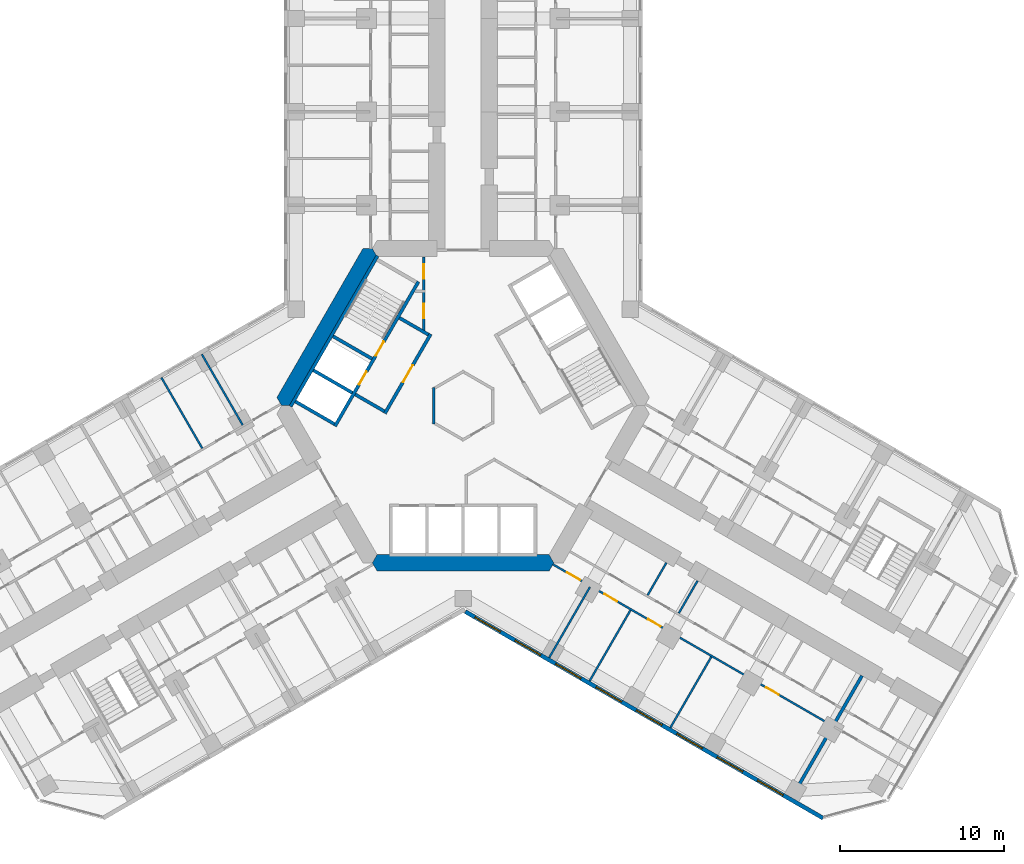
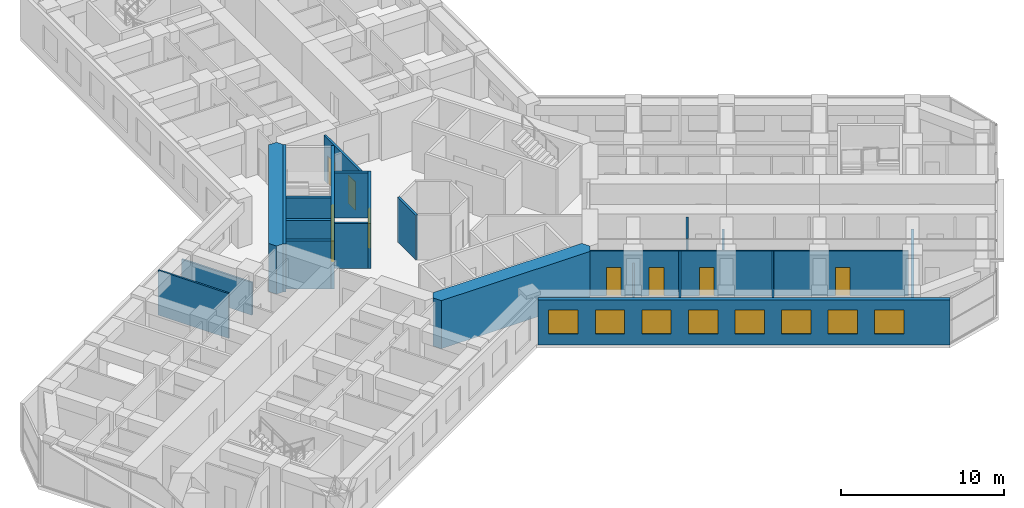
# One storey, part 13 of 21: 22 walls, 9 doors, 8 windows, 17 openings.
"""IFC4 building model written with IfcOpenShell, lengths in metres."""

from ifc_helpers import new_model, si_unit, direction, frame, frame_2d, origin, place, context, subcontext, project, spatial, polyline, rectangle, outline, extrude, material, layer, layer_set, type_object, element, fill, save


model = new_model("IFC4")

# Units and contexts
model_context = context("Model", 3, precision=1e-05, world=origin(), true_north=direction((0.0, 1.0)))
body_context = subcontext(model_context, "Body", "Model", "MODEL_VIEW")
ifc_project = project(units=[si_unit("LENGTHUNIT", "METRE"), si_unit("AREAUNIT", "SQUARE_METRE"), si_unit("VOLUMEUNIT", "CUBIC_METRE"), si_unit("PLANEANGLEUNIT", "RADIAN"), si_unit("MASSUNIT", "GRAM", prefix="KILO")], contexts=[model_context])

# Site, building, storey
site_placement = place(None, origin())
site = spatial("IfcSite", under=ifc_project, at=site_placement, CompositionType="ELEMENT")
building_placement = place(site_placement, origin())
building = spatial("IfcBuilding", under=site, at=building_placement, Name="Kosmar Iwan School Tower", CompositionType="ELEMENT")
storey_placement = place(building_placement, frame((0.0, 0.0, 71.800048828125)))
storey = spatial("IfcBuildingStorey", under=building, at=storey_placement, Name="L17", CompositionType="ELEMENT", Elevation=71.800048828125)

# Wall, openings, doors
ifc_material_1 = material(Name="Gypsum board on steel studs, fire-rated", Category="steel")
ifc_layer_1 = layer(ifc_material_1, 0.14990234375)
ifc_layer_set_1 = layer_set([ifc_layer_1], Name="Core room partition 150")
wall_type_1 = type_object("IfcWallType", Name="Core room partition 150", PredefinedType="PARTITIONING", material=ifc_layer_set_1)
wall_1_placement = place(storey_placement, frame((-2.39990234375, 9.094970703125, 0.0), z_axis=(0.0, 0.0, 1.0), x_axis=(0.0, -1.0, 0.0)))
wall_1 = element("IfcWall", 1, at=wall_1_placement, inside=storey, type_object=wall_type_1, Name="Core room partition L17-CW1", PredefinedType="PARTITIONING", context=body_context, shape_type="SweptSolid", body=[
    extrude(rectangle(XDim=4.564208984375, YDim=0.14990234375, at=frame_2d((2.2822265625, 0.0))), origin(), (0.0, 0.0, 1.0), 3.349853515625),
])
opening_1_placement = place(wall_1_placement, frame((0.455078125, 0.0, 0.0)))
opening_1 = element("IfcOpeningElement", 2, at=opening_1_placement, cuts=wall_1, Name="Opening D14", PredefinedType="OPENING", context=body_context, shape_type="SweptSolid", body=[
    extrude(rectangle(XDim=0.89990234375, YDim=2.10009765625, at=frame_2d((0.449951171875, 1.050048828125))), frame((0.0, 0.0869140625, 0.0), z_axis=(0.0, -1.0, 0.0), x_axis=(1.0, 0.0, 0.0)), (0.0, 0.0, 1.0), 0.173828125),
])
opening_2_placement = place(wall_1_placement, frame((2.85498046875, 0.0, 0.0)))
opening_2 = element("IfcOpeningElement", 3, at=opening_2_placement, cuts=wall_1, Name="Opening D14", PredefinedType="OPENING", context=body_context, shape_type="SweptSolid", body=[
    extrude(rectangle(XDim=0.89990234375, YDim=2.10009765625, at=frame_2d((0.449951171875, 1.050048828125))), frame((0.0, 0.0869140625, 0.0), z_axis=(0.0, -1.0, 0.0), x_axis=(1.0, 0.0, 0.0)), (0.0, 0.0, 1.0), 0.173828125),
])
ifc_material_2 = material(Name="Timber fire door in steel frame", Category="steel")
door_type_1 = type_object("IfcDoorType", Name="Core room door 900x2100", OperationType="SINGLE_SWING_LEFT", PredefinedType="DOOR", material=ifc_material_2)
door_1_placement = place(opening_1_placement, origin())
door_1 = element("IfcDoor", 4, at=door_1_placement, inside=storey, type_object=door_type_1, Name="Electrical riser and switch room door L17 1", OperationType="SINGLE_SWING_LEFT", OverallHeight=2.10009765625, OverallWidth=0.89990234375, PredefinedType="DOOR", context=body_context, shape_type="SweptSolid", body=[
    extrude(rectangle(XDim=0.89990234375, YDim=2.10009765625, at=frame_2d((0.449951171875, 1.050048828125))), frame((0.0, 0.02490234375, 0.0), z_axis=(0.0, -1.0, 0.0), x_axis=(1.0, 0.0, 0.0)), (0.0, 0.0, 1.0), 0.050048828125),
])
fill(opening_1, door_1)
door_2_placement = place(opening_2_placement, origin())
door_2 = element("IfcDoor", 5, at=door_2_placement, inside=storey, type_object=door_type_1, Name="Plumbing and wet riser door L17 2", OperationType="SINGLE_SWING_RIGHT", OverallHeight=2.10009765625, OverallWidth=0.89990234375, PredefinedType="DOOR", context=body_context, shape_type="SweptSolid", body=[
    extrude(rectangle(XDim=0.89990234375, YDim=2.10009765625, at=frame_2d((0.449951171875, 1.050048828125))), frame((0.0, 0.02490234375, 0.0), z_axis=(0.0, -1.0, 0.0), x_axis=(1.0, 0.0, 0.0)), (0.0, 0.0, 1.0), 0.050048828125),
])
fill(opening_2, door_2)

# Walls
wall_2_placement = place(storey_placement, frame((-1.800048828125, -1.1142578125, 0.0), z_axis=(0.0, 0.0, 1.0), x_axis=(0.0, 1.0, 0.0)))
element("IfcWall", 6, at=wall_2_placement, inside=storey, type_object=wall_type_1, Name="Core room partition L17-CW6", PredefinedType="PARTITIONING", context=body_context, shape_type="SweptSolid", body=[
    extrude(rectangle(XDim=2.228515625, YDim=0.14990234375, at=frame_2d((1.1142578125, 0.0))), origin(), (0.0, 0.0, 1.0), 3.349853515625),
])
ifc_material_3 = material(Name="Concrete C50/60", Category="concrete")
ifc_layer_2 = layer(ifc_material_3, 1.0)
ifc_layer_set_2 = layer_set([ifc_layer_2], Name="Core wall 1000")
wall_type_2 = type_object("IfcWallType", Name="Core wall 1000", PredefinedType="SHEAR", material=ifc_layer_set_2)
wall_3_placement = place(storey_placement, origin())
element("IfcWall", 7, at=wall_3_placement, inside=storey, type_object=wall_type_2, Name="Core wall F150", PredefinedType="SHEAR", context=body_context, shape_type="SweptSolid", body=[
    extrude(outline(polyline([(-11.085205078125, 0.0), (-10.5078125, 0.0), (-5.25390625, 9.10009765625), (-5.54248046875, 9.60009765625), (-6.119873046875, 9.60009765625), (-11.373779296875, 0.5), (-11.085205078125, 0.0)])), origin(), (0.0, 0.0, 1.0), 3.599853515625),
])
wall_4_placement = place(storey_placement, origin())
element("IfcWall", 8, at=wall_4_placement, inside=storey, type_object=wall_type_2, Name="Core wall F270", PredefinedType="SHEAR", context=body_context, shape_type="SweptSolid", body=[
    extrude(outline(polyline([(-5.25390625, -10.10009765625), (5.25390625, -10.10009765625), (5.54248046875, -9.60009765625), (5.25390625, -9.10009765625), (-5.25390625, -9.10009765625), (-5.54248046875, -9.60009765625), (-5.25390625, -10.10009765625)])), origin(), (0.0, 0.0, 1.0), 3.599853515625),
])
ifc_material_4 = material(Name="Gypsum board on steel studs", Category="steel")
ifc_layer_3 = layer(ifc_material_4, 0.1201171875)
ifc_layer_set_3 = layer_set([ifc_layer_3], Name="Dwelling partition 120")
wall_type_3 = type_object("IfcWallType", Name="Dwelling partition 120", PredefinedType="PARTITIONING", material=ifc_layer_set_3)
wall_5_placement = place(storey_placement, frame((-13.4638671875, -1.179931640625, 0.0), z_axis=(0.0, 0.0, 1.0), x_axis=(-0.499996339024, 0.86602751744, 0.0)))
element("IfcWall", 9, at=wall_5_placement, inside=storey, type_object=wall_type_3, Name="Partition L17-BR1-X1", PredefinedType="PARTITIONING", context=body_context, shape_type="SweptSolid", body=[
    extrude(rectangle(XDim=4.98974609375, YDim=0.1201171875, at=frame_2d((2.494873046875, 0.0))), origin(), (0.0, 0.0, 1.0), 2.449951171875),
])
wall_6_placement = place(storey_placement, frame((-15.931884765625, -2.60498046875, 0.0), z_axis=(0.0, 0.0, 1.0), x_axis=(-0.500011847778, 0.866018563358, 0.0)))
element("IfcWall", 10, at=wall_6_placement, inside=storey, type_object=wall_type_3, Name="Partition L17-BR1-X2", PredefinedType="PARTITIONING", context=body_context, shape_type="SweptSolid", body=[
    extrude(rectangle(XDim=4.990234375, YDim=0.1201171875, at=frame_2d((2.4951171875, 0.0))), origin(), (0.0, 0.0, 1.0), 3.349853515625),
])

# Wall, openings, doors
wall_7_placement = place(storey_placement, frame((5.48876953125, -9.693115234375, 0.0), z_axis=(0.0, 0.0, 1.0), x_axis=(0.866024837091, -0.50000098154, 0.0)))
wall_7 = element("IfcWall", 11, at=wall_7_placement, inside=storey, type_object=wall_type_3, Name="Partition L17-CR1-W2", PredefinedType="PARTITIONING", context=body_context, shape_type="SweptSolid", body=[
    extrude(rectangle(XDim=19.5, YDim=0.1201171875, at=frame_2d((9.75, 0.0))), origin(), (0.0, 0.0, 1.0), 3.349853515625),
])
opening_3_placement = place(wall_7_placement, frame((1.0, 0.0, 0.0)))
opening_3 = element("IfcOpeningElement", 12, at=opening_3_placement, cuts=wall_7, Name="Opening D2", PredefinedType="OPENING", context=body_context, shape_type="SweptSolid", body=[
    extrude(rectangle(XDim=0.89990234375, YDim=2.10009765625, at=frame_2d((0.449951171875, 1.050048828125))), frame((0.0, 0.072021484375, 0.0), z_axis=(0.0, -1.0, 0.0), x_axis=(1.0, 0.0, 0.0)), (0.0, 0.0, 1.0), 0.14404296875),
])
opening_4_placement = place(wall_7_placement, frame((3.625, 0.0, 0.0)))
opening_4 = element("IfcOpeningElement", 13, at=opening_4_placement, cuts=wall_7, Name="Opening D2", PredefinedType="OPENING", context=body_context, shape_type="SweptSolid", body=[
    extrude(rectangle(XDim=0.89990234375, YDim=2.10009765625, at=frame_2d((0.449951171875, 1.050048828125))), frame((0.0, 0.072021484375, 0.0), z_axis=(0.0, -1.0, 0.0), x_axis=(1.0, 0.0, 0.0)), (0.0, 0.0, 1.0), 0.14404296875),
])
opening_5_placement = place(wall_7_placement, frame((6.699951171875, 0.0, 0.0)))
opening_5 = element("IfcOpeningElement", 14, at=opening_5_placement, cuts=wall_7, Name="Opening D2", PredefinedType="OPENING", context=body_context, shape_type="SweptSolid", body=[
    extrude(rectangle(XDim=0.89990234375, YDim=2.10009765625, at=frame_2d((0.449951171875, 1.050048828125))), frame((0.0, 0.072021484375, 0.0), z_axis=(0.0, -1.0, 0.0), x_axis=(1.0, 0.0, 0.0)), (0.0, 0.0, 1.0), 0.14404296875),
])
opening_6_placement = place(wall_7_placement, frame((15.02490234375, 0.0, 0.0)))
opening_6 = element("IfcOpeningElement", 15, at=opening_6_placement, cuts=wall_7, Name="Opening D2", PredefinedType="OPENING", context=body_context, shape_type="SweptSolid", body=[
    extrude(rectangle(XDim=0.89990234375, YDim=2.10009765625, at=frame_2d((0.449951171875, 1.050048828125))), frame((0.0, 0.072021484375, 0.0), z_axis=(0.0, -1.0, 0.0), x_axis=(1.0, 0.0, 0.0)), (0.0, 0.0, 1.0), 0.14404296875),
])
ifc_material_5 = material(Name="Timber door in timber frame", Category="wood")
door_type_2 = type_object("IfcDoorType", Name="Internal door 900x2100", OperationType="SINGLE_SWING_LEFT", PredefinedType="DOOR", material=ifc_material_5)
door_3_placement = place(opening_3_placement, origin())
door_3 = element("IfcDoor", 16, at=door_3_placement, inside=storey, type_object=door_type_2, Name="Family room door L17-CR1-F1", OperationType="SINGLE_SWING_LEFT", OverallHeight=2.10009765625, OverallWidth=0.89990234375, PredefinedType="DOOR", context=body_context, shape_type="SweptSolid", body=[
    extrude(rectangle(XDim=0.89990234375, YDim=2.10009765625, at=frame_2d((0.449951171875, 1.050048828125))), frame((0.0, 0.02490234375, 0.0), z_axis=(0.0, -1.0, 0.0), x_axis=(1.0, 0.0, 0.0)), (0.0, 0.0, 1.0), 0.050048828125),
])
fill(opening_3, door_3)
door_4_placement = place(opening_4_placement, origin())
door_4 = element("IfcDoor", 17, at=door_4_placement, inside=storey, type_object=door_type_2, Name="Study door L17-CR1-F2", OperationType="SINGLE_SWING_LEFT", OverallHeight=2.10009765625, OverallWidth=0.89990234375, PredefinedType="DOOR", context=body_context, shape_type="SweptSolid", body=[
    extrude(rectangle(XDim=0.89990234375, YDim=2.10009765625, at=frame_2d((0.449951171875, 1.050048828125))), frame((0.0, 0.02490234375, 0.0), z_axis=(0.0, -1.0, 0.0), x_axis=(1.0, 0.0, 0.0)), (0.0, 0.0, 1.0), 0.050048828125),
])
fill(opening_4, door_4)
door_5_placement = place(opening_5_placement, origin())
door_5 = element("IfcDoor", 18, at=door_5_placement, inside=storey, type_object=door_type_2, Name="Bedroom 1 door L17-CR1-F3", OperationType="SINGLE_SWING_LEFT", OverallHeight=2.10009765625, OverallWidth=0.89990234375, PredefinedType="DOOR", context=body_context, shape_type="SweptSolid", body=[
    extrude(rectangle(XDim=0.89990234375, YDim=2.10009765625, at=frame_2d((0.449951171875, 1.050048828125))), frame((0.0, 0.02490234375, 0.0), z_axis=(0.0, -1.0, 0.0), x_axis=(1.0, 0.0, 0.0)), (0.0, 0.0, 1.0), 0.050048828125),
])
fill(opening_5, door_5)
door_6_placement = place(opening_6_placement, origin())
door_6 = element("IfcDoor", 19, at=door_6_placement, inside=storey, type_object=door_type_2, Name="Living room and kitchen door L17-CR1-F4", OperationType="SINGLE_SWING_RIGHT", OverallHeight=2.10009765625, OverallWidth=0.89990234375, PredefinedType="DOOR", context=body_context, shape_type="SweptSolid", body=[
    extrude(rectangle(XDim=0.89990234375, YDim=2.10009765625, at=frame_2d((0.449951171875, 1.050048828125))), frame((0.0, 0.02490234375, 0.0), z_axis=(0.0, -1.0, 0.0), x_axis=(1.0, 0.0, 0.0)), (0.0, 0.0, 1.0), 0.050048828125),
])
fill(opening_6, door_6)

# Walls
wall_8_placement = place(storey_placement, frame((7.75390625, -11.070068359375, 0.0), z_axis=(0.0, 0.0, 1.0), x_axis=(-0.500033033937, -0.866006330792, 0.0)))
element("IfcWall", 20, at=wall_8_placement, inside=storey, type_object=wall_type_3, Name="Partition L17-CR1-X1", PredefinedType="PARTITIONING", context=body_context, shape_type="SweptSolid", body=[
    extrude(rectangle(XDim=4.989990234375, YDim=0.1201171875, at=frame_2d((2.4951171875, 0.0))), origin(), (0.0, 0.0, 1.0), 2.449951171875),
])
wall_9_placement = place(storey_placement, frame((10.221923828125, -12.4951171875, 0.0), z_axis=(0.0, 0.0, 1.0), x_axis=(-0.499996339024, -0.86602751744, 0.0)))
element("IfcWall", 21, at=wall_9_placement, inside=storey, type_object=wall_type_3, Name="Partition L17-CR1-X2", PredefinedType="PARTITIONING", context=body_context, shape_type="SweptSolid", body=[
    extrude(rectangle(XDim=4.98974609375, YDim=0.1201171875, at=frame_2d((2.494873046875, 0.0))), origin(), (0.0, 0.0, 1.0), 3.349853515625),
])
wall_10_placement = place(storey_placement, frame((15.158447265625, -15.344970703125, 0.0), z_axis=(0.0, 0.0, 1.0), x_axis=(-0.500011847778, -0.866018563358, 0.0)))
element("IfcWall", 22, at=wall_10_placement, inside=storey, type_object=wall_type_3, Name="Partition L17-CR1-X3", PredefinedType="PARTITIONING", context=body_context, shape_type="SweptSolid", body=[
    extrude(rectangle(XDim=4.990234375, YDim=0.1201171875, at=frame_2d((2.4951171875, 0.0))), origin(), (0.0, 0.0, 1.0), 3.349853515625),
])
wall_11_placement = place(storey_placement, frame((12.416748046875, -9.59375, 0.0), z_axis=(0.0, 0.0, 1.0), x_axis=(-0.500014693593, -0.866016920268, 0.0)))
element("IfcWall", 23, at=wall_11_placement, inside=storey, type_object=wall_type_3, Name="Partition L17-CR1-Y1", PredefinedType="PARTITIONING", context=body_context, shape_type="SweptSolid", body=[
    extrude(rectangle(XDim=2.2900390625, YDim=0.1201171875, at=frame_2d((1.14501953125, 0.0))), origin(), (0.0, 0.0, 1.0), 3.349853515625),
])
wall_12_placement = place(storey_placement, frame((14.322021484375, -10.693603515625, 0.0), z_axis=(0.0, 0.0, 1.0), x_axis=(-0.500014693593, -0.866016920268, 0.0)))
element("IfcWall", 24, at=wall_12_placement, inside=storey, type_object=wall_type_3, Name="Partition L17-CR1-Y2", PredefinedType="PARTITIONING", context=body_context, shape_type="SweptSolid", body=[
    extrude(rectangle(XDim=2.2900390625, YDim=0.1201171875, at=frame_2d((1.14501953125, 0.0))), origin(), (0.0, 0.0, 1.0), 2.449951171875),
])

# Wall, openings, windows
ifc_material_6 = material(Name="Black aluminium rainscreen on insulated framing", Category="aluminium")
ifc_layer_4 = layer(ifc_material_6, 0.25)
ifc_layer_set_4 = layer_set([ifc_layer_4], Name="External wall rainscreen 250")
wall_type_4 = type_object("IfcWallType", Name="External wall rainscreen 250", PredefinedType="SOLIDWALL", material=ifc_layer_set_4)
wall_13_placement = place(storey_placement, frame((0.137939453125, -12.5791015625, 0.0), z_axis=(0.0, 0.0, 1.0), x_axis=(0.866023775649, -0.500002820003, 0.0)))
wall_13 = element("IfcWall", 25, at=wall_13_placement, inside=storey, type_object=wall_type_4, Name="External wall CR L17", PredefinedType="SOLIDWALL", context=body_context, shape_type="SweptSolid", body=[
    extrude(rectangle(XDim=25.226318359375, YDim=0.25, at=frame_2d((12.61328125, 0.0))), origin(), (0.0, 0.0, 1.0), 3.349853515625),
])
opening_7_placement = place(wall_13_placement, frame((0.666015625, 0.0, 0.800048828125)))
opening_7 = element("IfcOpeningElement", 26, at=opening_7_placement, cuts=wall_13, Name="Opening W1", PredefinedType="OPENING", context=body_context, shape_type="SweptSolid", body=[
    extrude(rectangle(XDim=1.800048828125, YDim=1.800048828125, at=frame_2d((0.89990234375, 0.89990234375))), frame((0.0, 0.136962890625, 0.0), z_axis=(0.0, -1.0, 0.0), x_axis=(1.0, 0.0, 0.0)), (0.0, 0.0, 1.0), 0.27392578125),
])
opening_8_placement = place(wall_13_placement, frame((3.51611328125, 0.0, 0.800048828125)))
opening_8 = element("IfcOpeningElement", 27, at=opening_8_placement, cuts=wall_13, Name="Opening W1", PredefinedType="OPENING", context=body_context, shape_type="SweptSolid", body=[
    extrude(rectangle(XDim=1.800048828125, YDim=1.800048828125, at=frame_2d((0.89990234375, 0.89990234375))), frame((0.0, 0.136962890625, 0.0), z_axis=(0.0, -1.0, 0.0), x_axis=(1.0, 0.0, 0.0)), (0.0, 0.0, 1.0), 0.27392578125),
])
opening_9_placement = place(wall_13_placement, frame((6.365966796875, 0.0, 0.800048828125)))
opening_9 = element("IfcOpeningElement", 28, at=opening_9_placement, cuts=wall_13, Name="Opening W1", PredefinedType="OPENING", context=body_context, shape_type="SweptSolid", body=[
    extrude(rectangle(XDim=1.800048828125, YDim=1.800048828125, at=frame_2d((0.89990234375, 0.89990234375))), frame((0.0, 0.136962890625, 0.0), z_axis=(0.0, -1.0, 0.0), x_axis=(1.0, 0.0, 0.0)), (0.0, 0.0, 1.0), 0.27392578125),
])
opening_10_placement = place(wall_13_placement, frame((9.216064453125, 0.0, 0.800048828125)))
opening_10 = element("IfcOpeningElement", 29, at=opening_10_placement, cuts=wall_13, Name="Opening W1", PredefinedType="OPENING", context=body_context, shape_type="SweptSolid", body=[
    extrude(rectangle(XDim=1.800048828125, YDim=1.800048828125, at=frame_2d((0.89990234375, 0.89990234375))), frame((0.0, 0.136962890625, 0.0), z_axis=(0.0, -1.0, 0.0), x_axis=(1.0, 0.0, 0.0)), (0.0, 0.0, 1.0), 0.27392578125),
])
opening_11_placement = place(wall_13_placement, frame((12.06591796875, 0.0, 0.800048828125)))
opening_11 = element("IfcOpeningElement", 30, at=opening_11_placement, cuts=wall_13, Name="Opening W1", PredefinedType="OPENING", context=body_context, shape_type="SweptSolid", body=[
    extrude(rectangle(XDim=1.800048828125, YDim=1.800048828125, at=frame_2d((0.89990234375, 0.89990234375))), frame((0.0, 0.136962890625, 0.0), z_axis=(0.0, -1.0, 0.0), x_axis=(1.0, 0.0, 0.0)), (0.0, 0.0, 1.0), 0.27392578125),
])
opening_12_placement = place(wall_13_placement, frame((14.916015625, 0.0, 0.800048828125)))
opening_12 = element("IfcOpeningElement", 31, at=opening_12_placement, cuts=wall_13, Name="Opening W1", PredefinedType="OPENING", context=body_context, shape_type="SweptSolid", body=[
    extrude(rectangle(XDim=1.800048828125, YDim=1.800048828125, at=frame_2d((0.89990234375, 0.89990234375))), frame((0.0, 0.136962890625, 0.0), z_axis=(0.0, -1.0, 0.0), x_axis=(1.0, 0.0, 0.0)), (0.0, 0.0, 1.0), 0.27392578125),
])
opening_13_placement = place(wall_13_placement, frame((17.76611328125, 0.0, 0.800048828125)))
opening_13 = element("IfcOpeningElement", 32, at=opening_13_placement, cuts=wall_13, Name="Opening W1", PredefinedType="OPENING", context=body_context, shape_type="SweptSolid", body=[
    extrude(rectangle(XDim=1.800048828125, YDim=1.800048828125, at=frame_2d((0.89990234375, 0.89990234375))), frame((0.0, 0.136962890625, 0.0), z_axis=(0.0, -1.0, 0.0), x_axis=(1.0, 0.0, 0.0)), (0.0, 0.0, 1.0), 0.27392578125),
])
opening_14_placement = place(wall_13_placement, frame((20.615966796875, 0.0, 0.800048828125)))
opening_14 = element("IfcOpeningElement", 33, at=opening_14_placement, cuts=wall_13, Name="Opening W1", PredefinedType="OPENING", context=body_context, shape_type="SweptSolid", body=[
    extrude(rectangle(XDim=1.800048828125, YDim=1.800048828125, at=frame_2d((0.89990234375, 0.89990234375))), frame((0.0, 0.136962890625, 0.0), z_axis=(0.0, -1.0, 0.0), x_axis=(1.0, 0.0, 0.0)), (0.0, 0.0, 1.0), 0.27392578125),
])
ifc_material_7 = material(Name="Black aluminium frame with dark triple glazing", Category="aluminium")
window_type = type_object("IfcWindowType", Name="Window 1800x1800", PartitioningType="SINGLE_PANEL", PredefinedType="WINDOW", material=ifc_material_7)
window_1_placement = place(opening_7_placement, origin())
window_1 = element("IfcWindow", 34, at=window_1_placement, inside=storey, type_object=window_type, Name="Window CR L17 -1", OverallHeight=1.800048828125, OverallWidth=1.800048828125, PartitioningType="SINGLE_PANEL", PredefinedType="WINDOW", context=body_context, shape_type="SweptSolid", body=[
    extrude(rectangle(XDim=1.800048828125, YDim=1.800048828125, at=frame_2d((0.89990234375, 0.89990234375))), frame((0.0, 0.030029296875, 0.0), z_axis=(0.0, -1.0, 0.0), x_axis=(1.0, 0.0, 0.0)), (0.0, 0.0, 1.0), 0.06005859375),
])
fill(opening_7, window_1)
window_2_placement = place(opening_8_placement, origin())
window_2 = element("IfcWindow", 35, at=window_2_placement, inside=storey, type_object=window_type, Name="Window CR L17 0", OverallHeight=1.800048828125, OverallWidth=1.800048828125, PartitioningType="SINGLE_PANEL", PredefinedType="WINDOW", context=body_context, shape_type="SweptSolid", body=[
    extrude(rectangle(XDim=1.800048828125, YDim=1.800048828125, at=frame_2d((0.89990234375, 0.89990234375))), frame((0.0, 0.030029296875, 0.0), z_axis=(0.0, -1.0, 0.0), x_axis=(1.0, 0.0, 0.0)), (0.0, 0.0, 1.0), 0.06005859375),
])
fill(opening_8, window_2)
window_3_placement = place(opening_9_placement, origin())
window_3 = element("IfcWindow", 36, at=window_3_placement, inside=storey, type_object=window_type, Name="Window CR L17 1", OverallHeight=1.800048828125, OverallWidth=1.800048828125, PartitioningType="SINGLE_PANEL", PredefinedType="WINDOW", context=body_context, shape_type="SweptSolid", body=[
    extrude(rectangle(XDim=1.800048828125, YDim=1.800048828125, at=frame_2d((0.89990234375, 0.89990234375))), frame((0.0, 0.030029296875, 0.0), z_axis=(0.0, -1.0, 0.0), x_axis=(1.0, 0.0, 0.0)), (0.0, 0.0, 1.0), 0.06005859375),
])
fill(opening_9, window_3)
window_4_placement = place(opening_10_placement, origin())
window_4 = element("IfcWindow", 37, at=window_4_placement, inside=storey, type_object=window_type, Name="Window CR L17 2", OverallHeight=1.800048828125, OverallWidth=1.800048828125, PartitioningType="SINGLE_PANEL", PredefinedType="WINDOW", context=body_context, shape_type="SweptSolid", body=[
    extrude(rectangle(XDim=1.800048828125, YDim=1.800048828125, at=frame_2d((0.89990234375, 0.89990234375))), frame((0.0, 0.030029296875, 0.0), z_axis=(0.0, -1.0, 0.0), x_axis=(1.0, 0.0, 0.0)), (0.0, 0.0, 1.0), 0.06005859375),
])
fill(opening_10, window_4)
window_5_placement = place(opening_11_placement, origin())
window_5 = element("IfcWindow", 38, at=window_5_placement, inside=storey, type_object=window_type, Name="Window CR L17 3", OverallHeight=1.800048828125, OverallWidth=1.800048828125, PartitioningType="SINGLE_PANEL", PredefinedType="WINDOW", context=body_context, shape_type="SweptSolid", body=[
    extrude(rectangle(XDim=1.800048828125, YDim=1.800048828125, at=frame_2d((0.89990234375, 0.89990234375))), frame((0.0, 0.030029296875, 0.0), z_axis=(0.0, -1.0, 0.0), x_axis=(1.0, 0.0, 0.0)), (0.0, 0.0, 1.0), 0.06005859375),
])
fill(opening_11, window_5)
window_6_placement = place(opening_12_placement, origin())
window_6 = element("IfcWindow", 39, at=window_6_placement, inside=storey, type_object=window_type, Name="Window CR L17 4", OverallHeight=1.800048828125, OverallWidth=1.800048828125, PartitioningType="SINGLE_PANEL", PredefinedType="WINDOW", context=body_context, shape_type="SweptSolid", body=[
    extrude(rectangle(XDim=1.800048828125, YDim=1.800048828125, at=frame_2d((0.89990234375, 0.89990234375))), frame((0.0, 0.030029296875, 0.0), z_axis=(0.0, -1.0, 0.0), x_axis=(1.0, 0.0, 0.0)), (0.0, 0.0, 1.0), 0.06005859375),
])
fill(opening_12, window_6)
window_7_placement = place(opening_13_placement, origin())
window_7 = element("IfcWindow", 40, at=window_7_placement, inside=storey, type_object=window_type, Name="Window CR L17 5", OverallHeight=1.800048828125, OverallWidth=1.800048828125, PartitioningType="SINGLE_PANEL", PredefinedType="WINDOW", context=body_context, shape_type="SweptSolid", body=[
    extrude(rectangle(XDim=1.800048828125, YDim=1.800048828125, at=frame_2d((0.89990234375, 0.89990234375))), frame((0.0, 0.030029296875, 0.0), z_axis=(0.0, -1.0, 0.0), x_axis=(1.0, 0.0, 0.0)), (0.0, 0.0, 1.0), 0.06005859375),
])
fill(opening_13, window_7)
window_8_placement = place(opening_14_placement, origin())
window_8 = element("IfcWindow", 41, at=window_8_placement, inside=storey, type_object=window_type, Name="Window CR L17 6", OverallHeight=1.800048828125, OverallWidth=1.800048828125, PartitioningType="SINGLE_PANEL", PredefinedType="WINDOW", context=body_context, shape_type="SweptSolid", body=[
    extrude(rectangle(XDim=1.800048828125, YDim=1.800048828125, at=frame_2d((0.89990234375, 0.89990234375))), frame((0.0, 0.030029296875, 0.0), z_axis=(0.0, -1.0, 0.0), x_axis=(1.0, 0.0, 0.0)), (0.0, 0.0, 1.0), 0.06005859375),
])
fill(opening_14, window_8)

# Wall, opening, door
ifc_material_8 = material(Name="Concrete block masonry", Category="masonry")
ifc_layer_5 = layer(ifc_material_8, 0.199951171875)
ifc_layer_set_5 = layer_set([ifc_layer_5], Name="Fire lobby wall 200")
wall_type_5 = type_object("IfcWallType", Name="Fire lobby wall 200", PredefinedType="PARTITIONING", material=ifc_layer_set_5)
wall_14_placement = place(storey_placement, frame((-1.9775390625, 4.374755859375, 0.0), z_axis=(0.0, 0.0, 1.0), x_axis=(-0.500016814911, -0.866015695474, 0.0)))
wall_14 = element("IfcWall", 42, at=wall_14_placement, inside=storey, type_object=wall_type_5, Name="Firefighting lobby wall ST2", PredefinedType="PARTITIONING", context=body_context, shape_type="SweptSolid", body=[
    extrude(rectangle(XDim=5.599853515625, YDim=0.199951171875, at=frame_2d((2.7998046875, 0.0))), origin(), (0.0, 0.0, 1.0), 3.349853515625),
])
opening_15_placement = place(wall_14_placement, frame((2.199951171875, 0.0, 0.0)))
opening_15 = element("IfcOpeningElement", 43, at=opening_15_placement, cuts=wall_14, Name="Opening D7", PredefinedType="OPENING", context=body_context, shape_type="SweptSolid", body=[
    extrude(rectangle(XDim=1.199951171875, YDim=2.10009765625, at=frame_2d((0.60009765625, 1.050048828125))), frame((0.0, 0.112060546875, 0.0), z_axis=(0.0, -1.0, 0.0), x_axis=(1.0, 0.0, 0.0)), (0.0, 0.0, 1.0), 0.223876953125),
])
ifc_material_9 = material(Name="Steel fire door", Category="steel")
door_type_3 = type_object("IfcDoorType", Name="Fire lobby door 1200x2100", OperationType="SINGLE_SWING_LEFT", PredefinedType="DOOR", material=ifc_material_9)
door_7_placement = place(opening_15_placement, origin())
door_7 = element("IfcDoor", 44, at=door_7_placement, inside=storey, type_object=door_type_3, Name="Firefighting lobby door ST2 L17", OperationType="SINGLE_SWING_RIGHT", OverallHeight=2.10009765625, OverallWidth=1.199951171875, PredefinedType="DOOR", context=body_context, shape_type="SweptSolid", body=[
    extrude(rectangle(XDim=1.199951171875, YDim=2.10009765625, at=frame_2d((0.60009765625, 1.050048828125))), frame((0.0, 0.02490234375, 0.0), z_axis=(0.0, -1.0, 0.0), x_axis=(1.0, 0.0, 0.0)), (0.0, 0.0, 1.0), 0.050048828125),
])
fill(opening_15, door_7)

# Walls
wall_15_placement = place(storey_placement, frame((-2.114013671875, 4.33837890625, 0.0), z_axis=(0.0, 0.0, 1.0), x_axis=(-0.866050731258, 0.499956128963, 0.0)))
element("IfcWall", 45, at=wall_15_placement, inside=storey, type_object=wall_type_5, Name="Firefighting lobby wall ST2", PredefinedType="PARTITIONING", context=body_context, shape_type="SweptSolid", body=[
    extrude(rectangle(XDim=2.050048828125, YDim=0.199951171875, at=frame_2d((1.02490234375, 0.0))), origin(), (0.0, 0.0, 1.0), 3.349853515625),
])
wall_16_placement = place(storey_placement, frame((-4.814208984375, -0.33837890625, 0.0), z_axis=(0.0, 0.0, 1.0), x_axis=(-0.865969381856, 0.500097020274, 0.0)))
element("IfcWall", 46, at=wall_16_placement, inside=storey, type_object=wall_type_5, Name="Firefighting lobby wall ST2", PredefinedType="PARTITIONING", context=body_context, shape_type="SweptSolid", body=[
    extrude(rectangle(XDim=2.0498046875, YDim=0.199951171875, at=frame_2d((1.02490234375, 0.0))), origin(), (0.0, 0.0, 1.0), 3.349853515625),
])

# Wall, openings, doors
ifc_material_10 = material(Name="Concrete C50/60", Category="concrete")
ifc_layer_6 = layer(ifc_material_10, 0.199951171875)
ifc_layer_set_6 = layer_set([ifc_layer_6], Name="Lift shaft wall 200")
wall_type_6 = type_object("IfcWallType", Name="Lift shaft wall 200", PredefinedType="SHEAR", material=ifc_layer_set_6)
wall_17_placement = place(storey_placement, frame((-2.72607421875, 7.578369140625, 0.0), z_axis=(0.0, 0.0, 1.0), x_axis=(-0.500005610874, -0.86602216432, 0.0)))
wall_17 = element("IfcWall", 47, at=wall_17_placement, inside=storey, type_object=wall_type_6, Name="Lift and stair front wall AB", PredefinedType="SHEAR", context=body_context, shape_type="SweptSolid", body=[
    extrude(rectangle(XDim=10.2001953125, YDim=0.199951171875, at=frame_2d((5.10009765625, 0.0))), origin(), (0.0, 0.0, 1.0), 3.599853515625),
])
opening_16_placement = place(wall_17_placement, frame((6.35009765625, 0.0, 0.0)))
opening_16 = element("IfcOpeningElement", 48, at=opening_16_placement, cuts=wall_17, Name="Opening LD2", PredefinedType="OPENING", context=body_context, shape_type="SweptSolid", body=[
    extrude(rectangle(XDim=0.89990234375, YDim=2.10009765625, at=frame_2d((0.449951171875, 1.050048828125))), frame((0.0, 0.112060546875, 0.0), z_axis=(0.0, -1.0, 0.0), x_axis=(1.0, 0.0, 0.0)), (0.0, 0.0, 1.0), 0.223876953125),
])
opening_17_placement = place(wall_17_placement, frame((4.22998046875, 0.0, 0.0)))
opening_17 = element("IfcOpeningElement", 49, at=opening_17_placement, cuts=wall_17, Name="Opening D6", PredefinedType="OPENING", context=body_context, shape_type="SweptSolid", body=[
    extrude(rectangle(XDim=1.0, YDim=2.10009765625, at=frame_2d((0.5, 1.050048828125))), frame((0.0, 0.112060546875, 0.0), z_axis=(0.0, -1.0, 0.0), x_axis=(1.0, 0.0, 0.0)), (0.0, 0.0, 1.0), 0.223876953125),
])
ifc_material_11 = material(Name="Stainless steel sliding lift door", Category="steel")
door_type_4 = type_object("IfcDoorType", Name="Firefighting lift landing door 900x2100", OperationType="SLIDING_TO_LEFT", PredefinedType="DOOR", material=ifc_material_11)
door_8_placement = place(opening_16_placement, origin())
door_8 = element("IfcDoor", 50, at=door_8_placement, inside=storey, type_object=door_type_4, Name="Lift FF2 landing door L17", OperationType="SLIDING_TO_LEFT", OverallHeight=2.10009765625, OverallWidth=0.89990234375, PredefinedType="DOOR", context=body_context, shape_type="SweptSolid", body=[
    extrude(rectangle(XDim=0.89990234375, YDim=2.10009765625, at=frame_2d((0.449951171875, 1.050048828125))), frame((0.0, 0.02490234375, 0.0), z_axis=(0.0, -1.0, 0.0), x_axis=(1.0, 0.0, 0.0)), (0.0, 0.0, 1.0), 0.050048828125),
])
fill(opening_16, door_8)
ifc_material_12 = material(Name="Steel fire door", Category="steel")
door_type_5 = type_object("IfcDoorType", Name="Stair door 1000x2100", OperationType="SINGLE_SWING_LEFT", PredefinedType="DOOR", material=ifc_material_12)
door_9_placement = place(opening_17_placement, origin())
door_9 = element("IfcDoor", 51, at=door_9_placement, inside=storey, type_object=door_type_5, Name="Stair ST2 door L17", OperationType="SINGLE_SWING_LEFT", OverallHeight=2.10009765625, OverallWidth=1.0, PredefinedType="DOOR", context=body_context, shape_type="SweptSolid", body=[
    extrude(rectangle(XDim=1.0, YDim=2.10009765625, at=frame_2d((0.5, 1.050048828125))), frame((0.0, 0.02490234375, 0.0), z_axis=(0.0, -1.0, 0.0), x_axis=(1.0, 0.0, 0.0)), (0.0, 0.0, 1.0), 0.050048828125),
])
fill(opening_17, door_9)

# Walls
wall_18_placement = place(storey_placement, frame((-5.22509765625, 9.14990234375, 0.0), z_axis=(0.0, 0.0, 1.0), x_axis=(-0.499994998079, -0.866028291626, 0.0)))
element("IfcWall", 52, at=wall_18_placement, inside=storey, type_object=wall_type_6, Name="Lift and stair back wall AB", PredefinedType="SHEAR", context=body_context, shape_type="SweptSolid", body=[
    extrude(rectangle(XDim=10.623046875, YDim=0.199951171875, at=frame_2d((5.3115234375, 0.0))), origin(), (0.0, 0.0, 1.0), 3.599853515625),
])
for number, where, z_axis, x_axis, name in (
    (53, (-6.7626953125, 0.78662109375, 0.0), (0.0, 0.0, 1.0), (-0.866027397988, 0.499996545922, 0.0), "Lift shaft wall AB 1"),
    (54, (-7.862548828125, -1.118408203125, 0.0), (0.0, 0.0, 1.0), (-0.866027397988, 0.499996545922, 0.0), "Lift shaft wall AB 2"),
):
    element("IfcWall", number, at=place(storey_placement, frame(where, z_axis=z_axis, x_axis=x_axis)), inside=storey, type_object=wall_type_6, Name=name, PredefinedType="SHEAR", context=body_context, shape_type="SweptSolid", body=[
        extrude(rectangle(XDim=2.75, YDim=0.199951171875, at=frame_2d((1.375, 0.0))), origin(), (0.0, 0.0, 1.0), 3.599853515625),
    ])
ifc_material_13 = material(Name="Concrete block masonry", Category="masonry")
ifc_layer_7 = layer(ifc_material_13, 0.199951171875)
ifc_layer_set_7 = layer_set([ifc_layer_7], Name="Party wall 200")
wall_type_7 = type_object("IfcWallType", Name="Party wall 200", PredefinedType="PARTITIONING", material=ifc_layer_set_7)
wall_19_placement = place(storey_placement, frame((24.367919921875, -16.49365234375, 0.0), z_axis=(0.0, 0.0, 1.0), x_axis=(-0.500007509209, -0.866021068297, 0.0)))
element("IfcWall", 55, at=wall_19_placement, inside=storey, type_object=wall_type_7, Name="Partition L17-CR2-PW", PredefinedType="PARTITIONING", context=body_context, shape_type="SweptSolid", body=[
    extrude(rectangle(XDim=8.599853515625, YDim=0.199951171875, at=frame_2d((4.2998046875, 0.0))), origin(), (0.0, 0.0, 1.0), 2.449951171875),
])
ifc_material_14 = material(Name="Concrete C50/60", Category="concrete")
ifc_layer_8 = layer(ifc_material_14, 0.199951171875)
ifc_layer_set_8 = layer_set([ifc_layer_8], Name="Stair enclosure wall 200")
wall_type_8 = type_object("IfcWallType", Name="Stair enclosure wall 200", PredefinedType="SHEAR", material=ifc_layer_set_8)
wall_20_placement = place(storey_placement, frame((-5.562744140625, 2.865234375, 0.0), z_axis=(0.0, 0.0, 1.0), x_axis=(-0.866027397988, 0.499996545922, 0.0)))
element("IfcWall", 56, at=wall_20_placement, inside=storey, type_object=wall_type_8, Name="Stair ST2 wall", PredefinedType="SHEAR", context=body_context, shape_type="SweptSolid", body=[
    extrude(rectangle(XDim=2.75, YDim=0.199951171875, at=frame_2d((1.375, 0.0))), origin(), (0.0, 0.0, 1.0), 3.599853515625),
])

save(model, "model.ifc")
